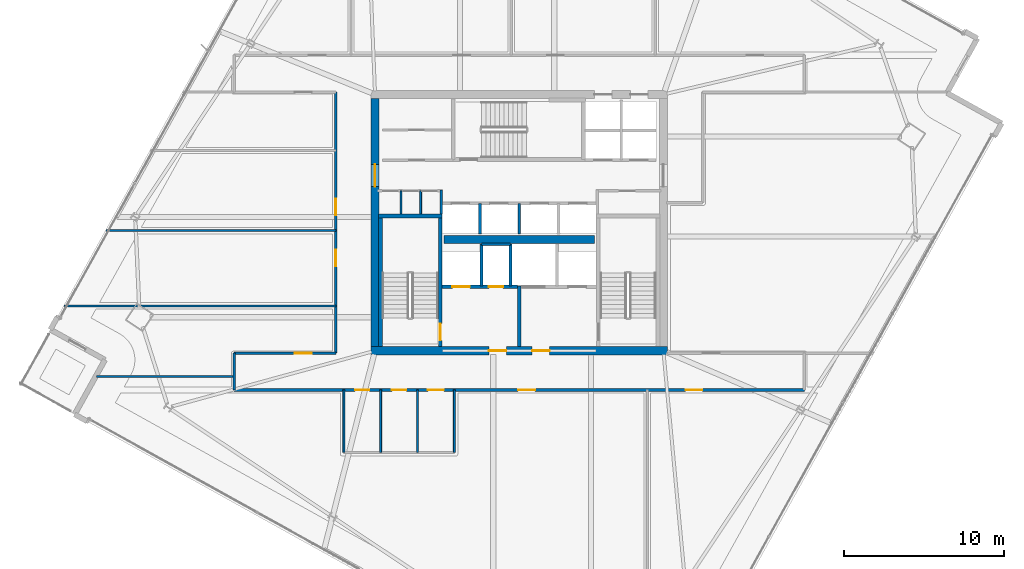
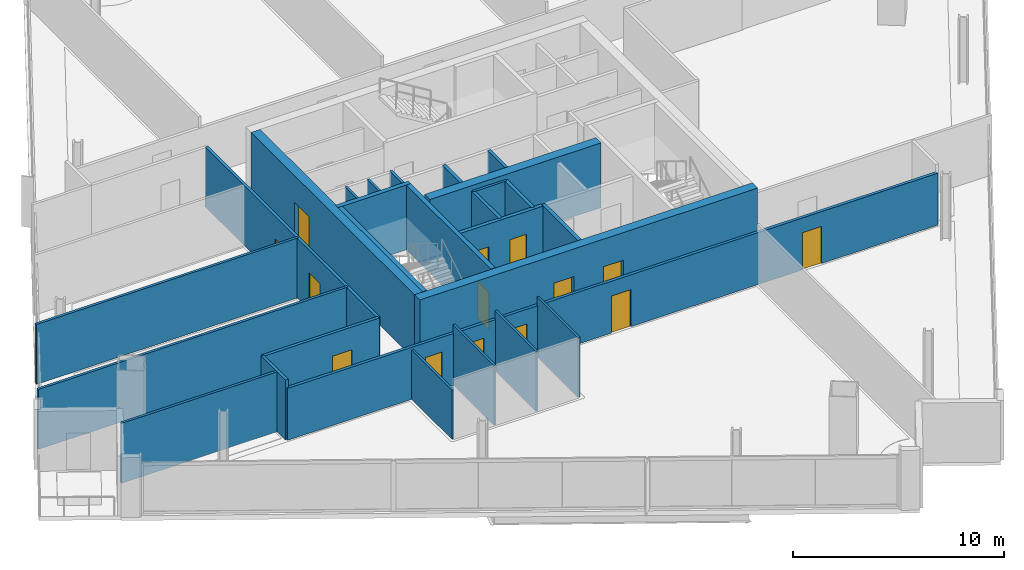
# One storey, part 20 of 28: 27 walls, 14 doors, 14 openings.
"""IFC4 building model written with IfcOpenShell, lengths in metres."""

from ifc_helpers import new_model, si_unit, direction, frame, frame_2d, origin, place, context, subcontext, project, spatial, rectangle, extrude, material, layer, layer_set, type_object, element, fill, save


model = new_model("IFC4")

# Units and contexts
model_context = context("Model", 3, precision=1e-05, world=origin(), true_north=direction((0.0, 1.0)))
body_context = subcontext(model_context, "Body", "Model", "MODEL_VIEW")
ifc_project = project(units=[si_unit("LENGTHUNIT", "METRE"), si_unit("AREAUNIT", "SQUARE_METRE"), si_unit("VOLUMEUNIT", "CUBIC_METRE"), si_unit("PLANEANGLEUNIT", "RADIAN"), si_unit("MASSUNIT", "GRAM", prefix="KILO")], contexts=[model_context])

# Site, building, storey
site_placement = place(None, origin())
site = spatial("IfcSite", under=ifc_project, at=site_placement, CompositionType="ELEMENT")
building_placement = place(site_placement, origin())
building = spatial("IfcBuilding", under=site, at=building_placement, Name="Haldenkirk Collegiate Tower", CompositionType="ELEMENT")
storey_placement = place(building_placement, frame((0.0, 0.0, 232.199951171875)))
storey = spatial("IfcBuildingStorey", under=building, at=storey_placement, Name="L58", CompositionType="ELEMENT", Elevation=232.199951171875)

# Wall, openings, doors
ifc_material_1 = material(Name="Concrete f'c 55 MPa", Category="concrete")
ifc_layer_1 = layer(ifc_material_1, 0.5)
ifc_layer_set_1 = layer_set([ifc_layer_1], Name="Concrete f'c 55 MPa")
wall_type_1 = type_object("IfcWallType", Name="WL-CORE-500", PredefinedType="SHEAR", material=ifc_layer_set_1)
wall_1_placement = place(storey_placement, frame((26.75, 18.0, 0.0), z_axis=(0.0, 0.0, 1.0), x_axis=(1.0, 0.0, 0.0)))
wall_1 = element("IfcWall", 1, at=wall_1_placement, inside=storey, type_object=wall_type_1, Name="L58 central core shear wall S", PredefinedType="SHEAR", context=body_context, shape_type="SweptSolid", body=[
    extrude(rectangle(XDim=18.5, YDim=0.5, at=frame_2d((9.25, 0.0))), origin(), (0.0, 0.0, 1.0), 3.75),
])
opening_1_placement = place(wall_1_placement, frame((7.35009765625, 0.0, 0.0)))
opening_1 = element("IfcOpeningElement", 2, at=opening_1_placement, cuts=wall_1, Name="Opening D-02", PredefinedType="OPENING", context=body_context, shape_type="SweptSolid", body=[
    extrude(rectangle(XDim=1.10009765625, YDim=2.14990234375, at=frame_2d((0.550048828125, 1.074951171875))), frame((0.0, 0.260009765625, 0.0), z_axis=(0.0, -1.0, 0.0), x_axis=(1.0, 0.0, 0.0)), (0.0, 0.0, 1.0), 0.52001953125),
])
opening_2_placement = place(wall_1_placement, frame((10.050048828125, 0.0, 0.0)))
opening_2 = element("IfcOpeningElement", 3, at=opening_2_placement, cuts=wall_1, Name="Opening D-02", PredefinedType="OPENING", context=body_context, shape_type="SweptSolid", body=[
    extrude(rectangle(XDim=1.10009765625, YDim=2.14990234375, at=frame_2d((0.550048828125, 1.074951171875))), frame((0.0, 0.260009765625, 0.0), z_axis=(0.0, -1.0, 0.0), x_axis=(1.0, 0.0, 0.0)), (0.0, 0.0, 1.0), 0.52001953125),
])
ifc_material_2 = material(Name="Galvanized fire-rated hollow steel door", Category="steel")
ifc_layer_2 = layer(ifc_material_2, 0.06005859375)
ifc_layer_set_2 = layer_set([ifc_layer_2], Name="Galvanized fire-rated hollow steel door")
door_type_1 = type_object("IfcDoorType", Name="DR-STAIR-FD90-1100", OperationType="NOTDEFINED", PredefinedType="DOOR", material=ifc_layer_set_2)
door_1_placement = place(opening_1_placement, origin())
door_1 = element("IfcDoor", 4, at=door_1_placement, inside=storey, type_object=door_type_1, Name="L58 Firefighting Lobby 1 door", OperationType="SINGLE_SWING_LEFT", OverallHeight=2.14990234375, OverallWidth=1.10009765625, PredefinedType="DOOR", context=body_context, shape_type="SweptSolid", body=[
    extrude(rectangle(XDim=1.10009765625, YDim=2.14990234375, at=frame_2d((0.550048828125, 1.074951171875))), frame((0.0, 0.02490234375, 0.0), z_axis=(0.0, -1.0, 0.0), x_axis=(1.0, 0.0, 0.0)), (0.0, 0.0, 1.0), 0.050048828125),
])
fill(opening_1, door_1)
door_2_placement = place(opening_2_placement, origin())
door_2 = element("IfcDoor", 5, at=door_2_placement, inside=storey, type_object=door_type_1, Name="L58 Firefighting Lobby 2 door", OperationType="SINGLE_SWING_RIGHT", OverallHeight=2.14990234375, OverallWidth=1.10009765625, PredefinedType="DOOR", context=body_context, shape_type="SweptSolid", body=[
    extrude(rectangle(XDim=1.10009765625, YDim=2.14990234375, at=frame_2d((0.550048828125, 1.074951171875))), frame((0.0, 0.02490234375, 0.0), z_axis=(0.0, -1.0, 0.0), x_axis=(1.0, 0.0, 0.0)), (0.0, 0.0, 1.0), 0.050048828125),
])
fill(opening_2, door_2)

# Wall, opening, door
wall_2_placement = place(storey_placement, frame((27.0, 18.25, 0.0), z_axis=(0.0, 0.0, 1.0), x_axis=(0.0, 1.0, 0.0)))
wall_2 = element("IfcWall", 6, at=wall_2_placement, inside=storey, type_object=wall_type_1, Name="L58 central core shear wall W", PredefinedType="SHEAR", context=body_context, shape_type="SweptSolid", body=[
    extrude(rectangle(XDim=15.5, YDim=0.5, at=frame_2d((7.75, 0.0))), origin(), (0.0, 0.0, 1.0), 3.75),
])
opening_3_placement = place(wall_2_placement, frame((9.989990234375, 0.0, 0.0)))
opening_3 = element("IfcOpeningElement", 7, at=opening_3_placement, cuts=wall_2, Name="Opening D-03", PredefinedType="OPENING", context=body_context, shape_type="SweptSolid", body=[
    extrude(rectangle(XDim=1.39990234375, YDim=2.199951171875, at=frame_2d((0.699951171875, 1.10009765625))), frame((0.0, 0.260009765625, 0.0), z_axis=(0.0, -1.0, 0.0), x_axis=(1.0, 0.0, 0.0)), (0.0, 0.0, 1.0), 0.52001953125),
])
ifc_layer_3 = layer(ifc_material_2, 0.06005859375)
ifc_layer_set_3 = layer_set([ifc_layer_3], Name="Galvanized fire-rated hollow steel door")
door_type_2 = type_object("IfcDoorType", Name="DR-LOBBY-FD90-1400", OperationType="NOTDEFINED", PredefinedType="DOOR", material=ifc_layer_set_3)
door_3_placement = place(opening_3_placement, origin())
door_3 = element("IfcDoor", 8, at=door_3_placement, inside=storey, type_object=door_type_2, Name="L58 west lift lobby portal", OperationType="DOUBLE_DOOR_SINGLE_SWING", OverallHeight=2.199951171875, OverallWidth=1.39990234375, PredefinedType="DOOR", context=body_context, shape_type="SweptSolid", body=[
    extrude(rectangle(XDim=1.39990234375, YDim=2.199951171875, at=frame_2d((0.699951171875, 1.10009765625))), frame((0.0, 0.02490234375, 0.0), z_axis=(0.0, -1.0, 0.0), x_axis=(1.0, 0.0, 0.0)), (0.0, 0.0, 1.0), 0.050048828125),
])
fill(opening_3, door_3)

# Walls
wall_3_placement = place(storey_placement, frame((31.31005859375, 24.949951171875, 0.0), z_axis=(0.0, 0.0, 1.0), x_axis=(1.0, 0.0, 0.0)))
element("IfcWall", 9, at=wall_3_placement, inside=storey, type_object=wall_type_1, Name="L58 central core spine shear wall", PredefinedType="SHEAR", context=body_context, shape_type="SweptSolid", body=[
    extrude(rectangle(XDim=9.3798828125, YDim=0.5, at=frame_2d((4.68994140625, 0.0))), origin(), (0.0, 0.0, 1.0), 3.75),
])
ifc_material_3 = material(Name="Acoustic fire-rated gypsum partition", Category="concrete")
ifc_layer_4 = layer(ifc_material_3, 0.159912109375)
ifc_layer_set_4 = layer_set([ifc_layer_4], Name="Acoustic fire-rated gypsum partition")
wall_type_2 = type_object("IfcWallType", Name="WL-INT-CORR-160", PredefinedType="PARTITIONING", material=ifc_layer_set_4)
wall_4_placement = place(storey_placement, frame((31.1201171875, 26.5400390625, 0.0), z_axis=(0.0, 0.0, 1.0), x_axis=(0.0, 1.0, 0.0)))
element("IfcWall", 10, at=wall_4_placement, inside=storey, type_object=wall_type_2, Name="L58 interior partition IW-L58-VCSW-E", PredefinedType="PARTITIONING", context=body_context, shape_type="SweptSolid", body=[
    extrude(rectangle(XDim=1.510009765625, YDim=0.159912109375, at=frame_2d((0.7548828125, 0.0))), origin(), (0.0, 0.0, 1.0), 3.469970703125),
])

# Wall, openings, doors
wall_5_placement = place(storey_placement, frame((18.199951171875, 15.550048828125, 0.0), z_axis=(0.0, 0.0, 1.0), x_axis=(1.0, 0.0, 0.0)))
wall_5 = element("IfcWall", 11, at=wall_5_placement, inside=storey, type_object=wall_type_2, Name="L58 interior partition IW-L58-CS", PredefinedType="PARTITIONING", context=body_context, shape_type="SweptSolid", body=[
    extrude(rectangle(XDim=35.60009765625, YDim=0.159912109375, at=frame_2d((17.800048828125, 0.0))), origin(), (0.0, 0.0, 1.0), 3.008056640625),
])
opening_4_placement = place(wall_5_placement, frame((7.550048828125, 0.0, 0.0)))
opening_4 = element("IfcOpeningElement", 12, at=opening_4_placement, cuts=wall_5, Name="Opening D-13", PredefinedType="OPENING", context=body_context, shape_type="SweptSolid", body=[
    extrude(rectangle(XDim=0.89990234375, YDim=2.14990234375, at=frame_2d((0.449951171875, 1.074951171875))), frame((0.0, 0.08984375, 0.0), z_axis=(0.0, -1.0, 0.0), x_axis=(1.0, 0.0, 0.0)), (0.0, 0.0, 1.0), 0.179931640625),
])
opening_5_placement = place(wall_5_placement, frame((9.85009765625, 0.0, 0.0)))
opening_5 = element("IfcOpeningElement", 13, at=opening_5_placement, cuts=wall_5, Name="Opening D-13", PredefinedType="OPENING", context=body_context, shape_type="SweptSolid", body=[
    extrude(rectangle(XDim=0.89990234375, YDim=2.14990234375, at=frame_2d((0.449951171875, 1.074951171875))), frame((0.0, 0.08984375, 0.0), z_axis=(0.0, -1.0, 0.0), x_axis=(1.0, 0.0, 0.0)), (0.0, 0.0, 1.0), 0.179931640625),
])
opening_6_placement = place(wall_5_placement, frame((12.10009765625, 0.0, 0.0)))
opening_6 = element("IfcOpeningElement", 14, at=opening_6_placement, cuts=wall_5, Name="Opening D-14", PredefinedType="OPENING", context=body_context, shape_type="SweptSolid", body=[
    extrude(rectangle(XDim=1.0, YDim=2.14990234375, at=frame_2d((0.5, 1.074951171875))), frame((0.0, 0.08984375, 0.0), z_axis=(0.0, -1.0, 0.0), x_axis=(1.0, 0.0, 0.0)), (0.0, 0.0, 1.0), 0.179931640625),
])
opening_7_placement = place(wall_5_placement, frame((17.737060546875, 0.0, 0.0)))
opening_7 = element("IfcOpeningElement", 15, at=opening_7_placement, cuts=wall_5, Name="Opening D-09", PredefinedType="OPENING", context=body_context, shape_type="SweptSolid", body=[
    extrude(rectangle(XDim=1.050048828125, YDim=2.14990234375, at=frame_2d((0.52490234375, 1.074951171875))), frame((0.0, 0.08984375, 0.0), z_axis=(0.0, -1.0, 0.0), x_axis=(1.0, 0.0, 0.0)), (0.0, 0.0, 1.0), 0.179931640625),
])
opening_8_placement = place(wall_5_placement, frame((28.18505859375, 0.0, 0.0)))
opening_8 = element("IfcOpeningElement", 16, at=opening_8_placement, cuts=wall_5, Name="Opening D-09", PredefinedType="OPENING", context=body_context, shape_type="SweptSolid", body=[
    extrude(rectangle(XDim=1.050048828125, YDim=2.14990234375, at=frame_2d((0.52490234375, 1.074951171875))), frame((0.0, 0.08984375, 0.0), z_axis=(0.0, -1.0, 0.0), x_axis=(1.0, 0.0, 0.0)), (0.0, 0.0, 1.0), 0.179931640625),
])
ifc_material_4 = material(Name="Solid-core architectural oak fire door", Category="wood")
ifc_layer_5 = layer(ifc_material_4, 0.06005859375)
ifc_layer_set_5 = layer_set([ifc_layer_5], Name="Solid-core architectural oak fire door")
door_type_3 = type_object("IfcDoorType", Name="DR-INT-ACC-1000", OperationType="NOTDEFINED", PredefinedType="DOOR", material=ifc_layer_set_5)
door_4_placement = place(opening_6_placement, origin())
door_4 = element("IfcDoor", 17, at=door_4_placement, inside=storey, type_object=door_type_3, Name="L58 Accessible WC door", OperationType="SINGLE_SWING_RIGHT", OverallHeight=2.14990234375, OverallWidth=1.0, PredefinedType="DOOR", context=body_context, shape_type="SweptSolid", body=[
    extrude(rectangle(XDim=1.0, YDim=2.14990234375, at=frame_2d((0.5, 1.074951171875))), frame((0.0, 0.02490234375, 0.0), z_axis=(0.0, -1.0, 0.0), x_axis=(1.0, 0.0, 0.0)), (0.0, 0.0, 1.0), 0.050048828125),
])
fill(opening_6, door_4)
ifc_layer_6 = layer(ifc_material_4, 0.06005859375)
ifc_layer_set_6 = layer_set([ifc_layer_6], Name="Solid-core architectural oak fire door")
door_type_4 = type_object("IfcDoorType", Name="DR-INT-FD60-1050", OperationType="NOTDEFINED", PredefinedType="DOOR", material=ifc_layer_set_6)
door_5_placement = place(opening_7_placement, origin())
door_5 = element("IfcDoor", 18, at=door_5_placement, inside=storey, type_object=door_type_4, Name="L58 Academic Press Bookshop 1 door", OperationType="SINGLE_SWING_LEFT", OverallHeight=2.14990234375, OverallWidth=1.050048828125, PredefinedType="DOOR", context=body_context, shape_type="SweptSolid", body=[
    extrude(rectangle(XDim=1.050048828125, YDim=2.14990234375, at=frame_2d((0.52490234375, 1.074951171875))), frame((0.0, 0.02490234375, 0.0), z_axis=(0.0, -1.0, 0.0), x_axis=(1.0, 0.0, 0.0)), (0.0, 0.0, 1.0), 0.050048828125),
])
fill(opening_7, door_5)
door_6_placement = place(opening_8_placement, origin())
door_6 = element("IfcDoor", 19, at=door_6_placement, inside=storey, type_object=door_type_4, Name="L58 Campus Print Shop 2 door", OperationType="SINGLE_SWING_RIGHT", OverallHeight=2.14990234375, OverallWidth=1.050048828125, PredefinedType="DOOR", context=body_context, shape_type="SweptSolid", body=[
    extrude(rectangle(XDim=1.050048828125, YDim=2.14990234375, at=frame_2d((0.52490234375, 1.074951171875))), frame((0.0, 0.02490234375, 0.0), z_axis=(0.0, -1.0, 0.0), x_axis=(1.0, 0.0, 0.0)), (0.0, 0.0, 1.0), 0.050048828125),
])
fill(opening_8, door_6)
ifc_layer_7 = layer(ifc_material_4, 0.06005859375)
ifc_layer_set_7 = layer_set([ifc_layer_7], Name="Solid-core architectural oak fire door")
door_type_5 = type_object("IfcDoorType", Name="DR-INT-STD-900", OperationType="NOTDEFINED", PredefinedType="DOOR", material=ifc_layer_set_7)
door_7_placement = place(opening_4_placement, origin())
door_7 = element("IfcDoor", 20, at=door_7_placement, inside=storey, type_object=door_type_5, Name="L58 Male WC door", OperationType="SINGLE_SWING_RIGHT", OverallHeight=2.14990234375, OverallWidth=0.89990234375, PredefinedType="DOOR", context=body_context, shape_type="SweptSolid", body=[
    extrude(rectangle(XDim=0.89990234375, YDim=2.14990234375, at=frame_2d((0.449951171875, 1.074951171875))), frame((0.0, 0.02490234375, 0.0), z_axis=(0.0, -1.0, 0.0), x_axis=(1.0, 0.0, 0.0)), (0.0, 0.0, 1.0), 0.050048828125),
])
fill(opening_4, door_7)
door_8_placement = place(opening_5_placement, origin())
door_8 = element("IfcDoor", 21, at=door_8_placement, inside=storey, type_object=door_type_5, Name="L58 Female WC door", OperationType="SINGLE_SWING_LEFT", OverallHeight=2.14990234375, OverallWidth=0.89990234375, PredefinedType="DOOR", context=body_context, shape_type="SweptSolid", body=[
    extrude(rectangle(XDim=0.89990234375, YDim=2.14990234375, at=frame_2d((0.449951171875, 1.074951171875))), frame((0.0, 0.02490234375, 0.0), z_axis=(0.0, -1.0, 0.0), x_axis=(1.0, 0.0, 0.0)), (0.0, 0.0, 1.0), 0.050048828125),
])
fill(opening_5, door_8)

# Wall, opening, door
wall_6_placement = place(storey_placement, frame((18.199951171875, 17.85009765625, 0.0), z_axis=(0.0, 0.0, 1.0), x_axis=(1.0, 0.0, 0.0)))
wall_6 = element("IfcWall", 22, at=wall_6_placement, inside=storey, type_object=wall_type_2, Name="L58 interior partition IW-L58-CSW", PredefinedType="PARTITIONING", context=body_context, shape_type="SweptSolid", body=[
    extrude(rectangle(XDim=6.35009765625, YDim=0.159912109375, at=frame_2d((3.175048828125, 0.0))), origin(), (0.0, 0.0, 1.0), 3.469970703125),
])
opening_9_placement = place(wall_6_placement, frame((3.79296875, 0.0, 0.0)))
opening_9 = element("IfcOpeningElement", 23, at=opening_9_placement, cuts=wall_6, Name="Opening D-09", PredefinedType="OPENING", context=body_context, shape_type="SweptSolid", body=[
    extrude(rectangle(XDim=1.050048828125, YDim=2.14990234375, at=frame_2d((0.52490234375, 1.074951171875))), frame((0.0, 0.08984375, 0.0), z_axis=(0.0, -1.0, 0.0), x_axis=(1.0, 0.0, 0.0)), (0.0, 0.0, 1.0), 0.179931640625),
])
door_9_placement = place(opening_9_placement, origin())
door_9 = element("IfcDoor", 24, at=door_9_placement, inside=storey, type_object=door_type_4, Name="L58 Academic Press Bookshop 7 door", OperationType="SINGLE_SWING_LEFT", OverallHeight=2.14990234375, OverallWidth=1.050048828125, PredefinedType="DOOR", context=body_context, shape_type="SweptSolid", body=[
    extrude(rectangle(XDim=1.050048828125, YDim=2.14990234375, at=frame_2d((0.52490234375, 1.074951171875))), frame((0.0, 0.02490234375, 0.0), z_axis=(0.0, -1.0, 0.0), x_axis=(1.0, 0.0, 0.0)), (0.0, 0.0, 1.0), 0.050048828125),
])
fill(opening_9, door_9)

# Wall, openings, doors
wall_7_placement = place(storey_placement, frame((24.550048828125, 17.85009765625, 0.0), z_axis=(0.0, 0.0, 1.0), x_axis=(0.0, 1.0, 0.0)))
wall_7 = element("IfcWall", 25, at=wall_7_placement, inside=storey, type_object=wall_type_2, Name="L58 interior partition IW-L58-CW", PredefinedType="PARTITIONING", context=body_context, shape_type="SweptSolid", body=[
    extrude(rectangle(XDim=16.2998046875, YDim=0.159912109375, at=frame_2d((8.14990234375, 0.0))), origin(), (0.0, 0.0, 1.0), 3.469970703125),
])
opening_10_placement = place(wall_7_placement, frame((5.4189453125, 0.0, 0.0)))
opening_10 = element("IfcOpeningElement", 26, at=opening_10_placement, cuts=wall_7, Name="Opening D-09", PredefinedType="OPENING", context=body_context, shape_type="SweptSolid", body=[
    extrude(rectangle(XDim=1.050048828125, YDim=2.14990234375, at=frame_2d((0.52490234375, 1.074951171875))), frame((0.0, 0.08984375, 0.0), z_axis=(0.0, -1.0, 0.0), x_axis=(1.0, 0.0, 0.0)), (0.0, 0.0, 1.0), 0.179931640625),
])
opening_11_placement = place(wall_7_placement, frame((8.60498046875, 0.0, 0.0)))
opening_11 = element("IfcOpeningElement", 27, at=opening_11_placement, cuts=wall_7, Name="Opening D-09", PredefinedType="OPENING", context=body_context, shape_type="SweptSolid", body=[
    extrude(rectangle(XDim=1.050048828125, YDim=2.14990234375, at=frame_2d((0.52490234375, 1.074951171875))), frame((0.0, 0.08984375, 0.0), z_axis=(0.0, -1.0, 0.0), x_axis=(1.0, 0.0, 0.0)), (0.0, 0.0, 1.0), 0.179931640625),
])
door_10_placement = place(opening_10_placement, origin())
door_10 = element("IfcDoor", 28, at=door_10_placement, inside=storey, type_object=door_type_4, Name="L58 Campus Print Shop 8 door", OperationType="SINGLE_SWING_RIGHT", OverallHeight=2.14990234375, OverallWidth=1.050048828125, PredefinedType="DOOR", context=body_context, shape_type="SweptSolid", body=[
    extrude(rectangle(XDim=1.050048828125, YDim=2.14990234375, at=frame_2d((0.52490234375, 1.074951171875))), frame((0.0, 0.02490234375, 0.0), z_axis=(0.0, -1.0, 0.0), x_axis=(1.0, 0.0, 0.0)), (0.0, 0.0, 1.0), 0.050048828125),
])
fill(opening_10, door_10)
door_11_placement = place(opening_11_placement, origin())
door_11 = element("IfcDoor", 29, at=door_11_placement, inside=storey, type_object=door_type_4, Name="L58 Hospitality Tea Kitchen 9 door", OperationType="SINGLE_SWING_LEFT", OverallHeight=2.14990234375, OverallWidth=1.050048828125, PredefinedType="DOOR", context=body_context, shape_type="SweptSolid", body=[
    extrude(rectangle(XDim=1.050048828125, YDim=2.14990234375, at=frame_2d((0.52490234375, 1.074951171875))), frame((0.0, 0.02490234375, 0.0), z_axis=(0.0, -1.0, 0.0), x_axis=(1.0, 0.0, 0.0)), (0.0, 0.0, 1.0), 0.050048828125),
])
fill(opening_11, door_11)

# Walls
wall_8_placement = place(storey_placement, frame((18.199951171875, 15.550048828125, 0.0), z_axis=(0.0, 0.0, 1.0), x_axis=(0.0, 1.0, 0.0)))
element("IfcWall", 30, at=wall_8_placement, inside=storey, type_object=wall_type_2, Name="L58 interior partition IW-L58-CSL", PredefinedType="PARTITIONING", context=body_context, shape_type="SweptSolid", body=[
    extrude(rectangle(XDim=2.300048828125, YDim=0.159912109375, at=frame_2d((1.14990234375, 0.0))), origin(), (0.0, 0.0, 1.0), 3.469970703125),
])
ifc_layer_8 = layer(ifc_material_3, 0.139892578125)
ifc_layer_set_8 = layer_set([ifc_layer_8], Name="Acoustic fire-rated gypsum partition")
wall_type_3 = type_object("IfcWallType", Name="WL-INT-DIV-140", PredefinedType="PARTITIONING", material=ifc_layer_set_8)
wall_9_placement = place(storey_placement, frame((9.6083984375, 16.39990234375, 0.0), z_axis=(0.0, 0.0, 1.0), x_axis=(1.0, 0.0, 0.0)))
element("IfcWall", 31, at=wall_9_placement, inside=storey, type_object=wall_type_3, Name="L58 interior partition IW-L58-BWS", PredefinedType="PARTITIONING", context=body_context, shape_type="SweptSolid", body=[
    extrude(rectangle(XDim=8.591552734375, YDim=0.139892578125, at=frame_2d((4.2958984375, 0.0))), origin(), (0.0, 0.0, 1.0), 3.469970703125),
])
wall_10_placement = place(storey_placement, frame((7.591064453125, 20.800048828125, 0.0), z_axis=(0.0, 0.0, 1.0), x_axis=(1.0, 0.0, 0.0)))
element("IfcWall", 32, at=wall_10_placement, inside=storey, type_object=wall_type_3, Name="L58 interior partition IW-L58-RW1", PredefinedType="PARTITIONING", context=body_context, shape_type="SweptSolid", body=[
    extrude(rectangle(XDim=16.958984375, YDim=0.139892578125, at=frame_2d((8.4794921875, 0.0))), origin(), (0.0, 0.0, 1.0), 3.469970703125),
])
wall_11_placement = place(storey_placement, frame((10.20166015625, 25.5, 0.0), z_axis=(0.0, 0.0, 1.0), x_axis=(1.0, 0.0, 0.0)))
element("IfcWall", 33, at=wall_11_placement, inside=storey, type_object=wall_type_3, Name="L58 interior partition IW-L58-RW2", PredefinedType="PARTITIONING", context=body_context, shape_type="SweptSolid", body=[
    extrude(rectangle(XDim=14.348388671875, YDim=0.139892578125, at=frame_2d((7.17431640625, 0.0))), origin(), (0.0, 0.0, 1.0), 3.469970703125),
])
ifc_material_5 = material(Name="Fire-rated gypsum shaftboard assembly", Category="concrete")
ifc_layer_9 = layer(ifc_material_5, 0.179931640625)
ifc_layer_set_9 = layer_set([ifc_layer_9], Name="Fire-rated gypsum shaftboard assembly")
wall_type_4 = type_object("IfcWallType", Name="WL-INT-SHAFT-180", PredefinedType="PARTITIONING", material=ifc_layer_set_9)
for number, where, z_axis, x_axis, name in (
    (34, (33.64990234375, 22.050048828125, 0.0), (0.0, 0.0, 1.0), (0.0, 1.0, 0.0), "L58 interior partition IW-L58-FL1E"),
    (35, (35.449951171875, 22.050048828125, 0.0), (0.0, 0.0, 1.0), (0.0, 1.0, 0.0), "L58 interior partition IW-L58-GL1W"),
):
    element("IfcWall", number, at=place(storey_placement, frame(where, z_axis=z_axis, x_axis=x_axis)), inside=storey, type_object=wall_type_4, Name=name, PredefinedType="PARTITIONING", context=body_context, shape_type="SweptSolid", body=[
        extrude(rectangle(XDim=2.599853515625, YDim=0.179931640625, at=frame_2d((1.2998046875, 0.0))), origin(), (0.0, 0.0, 1.0), 3.469970703125),
    ])
wall_12_placement = place(storey_placement, frame((33.64990234375, 24.64990234375, 0.0), z_axis=(0.0, 0.0, 1.0), x_axis=(1.0, 0.0, 0.0)))
element("IfcWall", 36, at=wall_12_placement, inside=storey, type_object=wall_type_4, Name="L58 interior partition IW-L58-RSRN", PredefinedType="PARTITIONING", context=body_context, shape_type="SweptSolid", body=[
    extrude(rectangle(XDim=1.800048828125, YDim=0.179931640625, at=frame_2d((0.89990234375, 0.0))), origin(), (0.0, 0.0, 1.0), 3.469970703125),
])
for number, where, z_axis, x_axis, name in (
    (37, (33.5400390625, 25.300048828125, 0.0), (0.0, 0.0, 1.0), (0.0, 1.0, 0.0), "L58 interior partition IW-L58-PHV1"),
    (38, (36.0, 25.300048828125, 0.0), (0.0, 0.0, 1.0), (0.0, 1.0, 0.0), "L58 interior partition IW-L58-PHV2"),
):
    element("IfcWall", number, at=place(storey_placement, frame(where, z_axis=z_axis, x_axis=x_axis)), inside=storey, type_object=wall_type_4, Name=name, PredefinedType="PARTITIONING", context=body_context, shape_type="SweptSolid", body=[
        extrude(rectangle(XDim=1.89990234375, YDim=0.179931640625, at=frame_2d((0.949951171875, 0.0))), origin(), (0.0, 0.0, 1.0), 3.469970703125),
    ])
ifc_layer_10 = layer(ifc_material_5, 0.199951171875)
ifc_layer_set_10 = layer_set([ifc_layer_10], Name="Fire-rated gypsum shaftboard assembly")
wall_type_5 = type_object("IfcWallType", Name="WL-INT-SHAFT-200", PredefinedType="PARTITIONING", material=ifc_layer_set_10)
wall_13_placement = place(storey_placement, frame((36.0, 18.280029296875, 0.0), z_axis=(0.0, 0.0, 1.0), x_axis=(0.0, 1.0, 0.0)))
element("IfcWall", 39, at=wall_13_placement, inside=storey, type_object=wall_type_5, Name="L58 interior partition IW-L58-FFLM", PredefinedType="PARTITIONING", context=body_context, shape_type="SweptSolid", body=[
    extrude(rectangle(XDim=3.77001953125, YDim=0.199951171875, at=frame_2d((1.885009765625, 0.0))), origin(), (0.0, 0.0, 1.0), 3.469970703125),
])

# Wall, openings, doors
wall_14_placement = place(storey_placement, frame((31.18994140625, 22.0, 0.0), z_axis=(0.0, 0.0, 1.0), x_axis=(1.0, 0.0, 0.0)))
wall_14 = element("IfcWall", 40, at=wall_14_placement, inside=storey, type_object=wall_type_5, Name="L58 interior partition IW-L58-FFL1N", PredefinedType="PARTITIONING", context=body_context, shape_type="SweptSolid", body=[
    extrude(rectangle(XDim=4.68994140625, YDim=0.199951171875, at=frame_2d((2.344970703125, 0.0))), origin(), (0.0, 0.0, 1.0), 3.469970703125),
])
opening_12_placement = place(wall_14_placement, frame((2.909912109375, 0.0, 0.0)))
opening_12 = element("IfcOpeningElement", 41, at=opening_12_placement, cuts=wall_14, Name="Opening D-06", PredefinedType="OPENING", context=body_context, shape_type="SweptSolid", body=[
    extrude(rectangle(XDim=0.89990234375, YDim=2.14990234375, at=frame_2d((0.449951171875, 1.074951171875))), frame((0.0, 0.10986328125, 0.0), z_axis=(0.0, -1.0, 0.0), x_axis=(1.0, 0.0, 0.0)), (0.0, 0.0, 1.0), 0.219970703125),
])
opening_13_placement = place(wall_14_placement, frame((0.635009765625, 0.0, 0.0)))
opening_13 = element("IfcOpeningElement", 42, at=opening_13_placement, cuts=wall_14, Name="Opening LD-12", PredefinedType="OPENING", context=body_context, shape_type="SweptSolid", body=[
    extrude(rectangle(XDim=1.10009765625, YDim=2.14990234375, at=frame_2d((0.550048828125, 1.074951171875))), frame((0.0, 0.10986328125, 0.0), z_axis=(0.0, -1.0, 0.0), x_axis=(1.0, 0.0, 0.0)), (0.0, 0.0, 1.0), 0.219970703125),
])
ifc_layer_11 = layer(ifc_material_2, 0.06005859375)
ifc_layer_set_11 = layer_set([ifc_layer_11], Name="Galvanized fire-rated hollow steel door")
door_type_6 = type_object("IfcDoorType", Name="DR-INT-FD90-900", OperationType="NOTDEFINED", PredefinedType="DOOR", material=ifc_layer_set_11)
door_12_placement = place(opening_12_placement, origin())
door_12 = element("IfcDoor", 43, at=door_12_placement, inside=storey, type_object=door_type_6, Name="L58 electrical riser door", OperationType="SINGLE_SWING_LEFT", OverallHeight=2.14990234375, OverallWidth=0.89990234375, PredefinedType="DOOR", context=body_context, shape_type="SweptSolid", body=[
    extrude(rectangle(XDim=0.89990234375, YDim=2.14990234375, at=frame_2d((0.449951171875, 1.074951171875))), frame((0.0, 0.02490234375, 0.0), z_axis=(0.0, -1.0, 0.0), x_axis=(1.0, 0.0, 0.0)), (0.0, 0.0, 1.0), 0.050048828125),
])
fill(opening_12, door_12)
ifc_material_6 = material(Name="Brushed architectural stainless steel", Category="steel")
ifc_layer_12 = layer(ifc_material_6, 0.06005859375)
ifc_layer_set_12 = layer_set([ifc_layer_12], Name="Brushed architectural stainless steel")
door_type_7 = type_object("IfcDoorType", Name="LD-FIRE-1100", OperationType="NOTDEFINED", PredefinedType="DOOR", material=ifc_layer_set_12)
door_13_placement = place(opening_13_placement, origin())
door_13 = element("IfcDoor", 44, at=door_13_placement, inside=storey, type_object=door_type_7, Name="L58 Elevator FL1 sliding landing door", OperationType="SLIDING_TO_LEFT", OverallHeight=2.14990234375, OverallWidth=1.10009765625, PredefinedType="DOOR", context=body_context, shape_type="SweptSolid", body=[
    extrude(rectangle(XDim=1.10009765625, YDim=2.14990234375, at=frame_2d((0.550048828125, 1.074951171875))), frame((0.0, 0.02490234375, 0.0), z_axis=(0.0, -1.0, 0.0), x_axis=(1.0, 0.0, 0.0)), (0.0, 0.0, 1.0), 0.050048828125),
])
fill(opening_13, door_13)

# Walls
ifc_layer_13 = layer(ifc_material_3, 0.1201171875)
ifc_layer_set_13 = layer_set([ifc_layer_13], Name="Acoustic fire-rated gypsum partition")
wall_type_6 = type_object("IfcWallType", Name="WL-INT-WET-120", PredefinedType="PARTITIONING", material=ifc_layer_set_13)
for number, where, z_axis, x_axis, name in (
    (45, (28.6201171875, 26.5400390625, 0.0), (0.0, 0.0, 1.0), (0.0, 1.0, 0.0), "L58 interior partition IW-L58-VCSW-M1"),
    (46, (29.840087890625, 26.5400390625, 0.0), (0.0, 0.0, 1.0), (0.0, 1.0, 0.0), "L58 interior partition IW-L58-VCSW-M2"),
):
    element("IfcWall", number, at=place(storey_placement, frame(where, z_axis=z_axis, x_axis=x_axis)), inside=storey, type_object=wall_type_6, Name=name, PredefinedType="PARTITIONING", context=body_context, shape_type="SweptSolid", body=[
        extrude(rectangle(XDim=1.43994140625, YDim=0.1201171875, at=frame_2d((0.719970703125, 0.0))), origin(), (0.0, 0.0, 1.0), 3.469970703125),
    ])
wall_15_placement = place(storey_placement, frame((25.050048828125, 11.64990234375, 0.0), z_axis=(0.0, 0.0, 1.0), x_axis=(0.0, 1.0, 0.0)))
element("IfcWall", 47, at=wall_15_placement, inside=storey, type_object=wall_type_6, Name="L58 interior partition IW-L58-WCW", PredefinedType="PARTITIONING", context=body_context, shape_type="SweptSolid", body=[
    extrude(rectangle(XDim=3.900146484375, YDim=0.1201171875, at=frame_2d((1.9501953125, 0.0))), origin(), (0.0, 0.0, 1.0), 2.84912109375),
])
for number, where, z_axis, x_axis, name in (
    (48, (27.35009765625, 11.64990234375, 0.0), (0.0, 0.0, 1.0), (0.0, 1.0, 0.0), "L58 interior partition IW-L58-WC1"),
    (49, (29.64990234375, 11.64990234375, 0.0), (0.0, 0.0, 1.0), (0.0, 1.0, 0.0), "L58 interior partition IW-L58-WC2"),
    (50, (31.949951171875, 11.64990234375, 0.0), (0.0, 0.0, 1.0), (0.0, 1.0, 0.0), "L58 interior partition IW-L58-WCE"),
):
    element("IfcWall", number, at=place(storey_placement, frame(where, z_axis=z_axis, x_axis=x_axis)), inside=storey, type_object=wall_type_6, Name=name, PredefinedType="PARTITIONING", context=body_context, shape_type="SweptSolid", body=[
        extrude(rectangle(XDim=3.900146484375, YDim=0.1201171875, at=frame_2d((1.9501953125, 0.0))), origin(), (0.0, 0.0, 1.0), 3.469970703125),
    ])

# Wall, opening, door
ifc_layer_14 = layer(ifc_material_1, 0.239990234375)
ifc_layer_set_14 = layer_set([ifc_layer_14], Name="Concrete f'c 55 MPa")
wall_type_7 = type_object("IfcWallType", Name="WL-SHAFT-240", PredefinedType="SHEAR", material=ifc_layer_set_14)
wall_16_placement = place(storey_placement, frame((31.070068359375, 18.280029296875, 0.0), z_axis=(0.0, 0.0, 1.0), x_axis=(0.0, 1.0, 0.0)))
wall_16 = element("IfcWall", 51, at=wall_16_placement, inside=storey, type_object=wall_type_7, Name="L58 stair shaft shear wall SW-L58-ST1E", PredefinedType="SHEAR", context=body_context, shape_type="SweptSolid", body=[
    extrude(rectangle(XDim=8.260009765625, YDim=0.239990234375, at=frame_2d((4.1298828125, 0.0))), origin(), (0.0, 0.0, 1.0), 3.75),
])
opening_14_placement = place(wall_16_placement, frame((0.364990234375, 0.0, 0.0)))
opening_14 = element("IfcOpeningElement", 52, at=opening_14_placement, cuts=wall_16, Name="Opening D-01", PredefinedType="OPENING", context=body_context, shape_type="SweptSolid", body=[
    extrude(rectangle(XDim=1.050048828125, YDim=2.14990234375, at=frame_2d((0.52490234375, 1.074951171875))), frame((0.0, 0.1298828125, 0.0), z_axis=(0.0, -1.0, 0.0), x_axis=(1.0, 0.0, 0.0)), (0.0, 0.0, 1.0), 0.260009765625),
])
ifc_layer_15 = layer(ifc_material_2, 0.06005859375)
ifc_layer_set_15 = layer_set([ifc_layer_15], Name="Galvanized fire-rated hollow steel door")
door_type_8 = type_object("IfcDoorType", Name="DR-STAIR-FD90-1050", OperationType="NOTDEFINED", PredefinedType="DOOR", material=ifc_layer_set_15)
door_14_placement = place(opening_14_placement, origin())
door_14 = element("IfcDoor", 53, at=door_14_placement, inside=storey, type_object=door_type_8, Name="L58 Stair 1 door", OperationType="SINGLE_SWING_LEFT", OverallHeight=2.14990234375, OverallWidth=1.050048828125, PredefinedType="DOOR", context=body_context, shape_type="SweptSolid", body=[
    extrude(rectangle(XDim=1.050048828125, YDim=2.14990234375, at=frame_2d((0.52490234375, 1.074951171875))), frame((0.0, 0.02490234375, 0.0), z_axis=(0.0, -1.0, 0.0), x_axis=(1.0, 0.0, 0.0)), (0.0, 0.0, 1.0), 0.050048828125),
])
fill(opening_14, door_14)

# Walls
wall_17_placement = place(storey_placement, frame((27.2099609375, 26.419921875, 0.0), z_axis=(0.0, 0.0, 1.0), x_axis=(1.0, 0.0, 0.0)))
element("IfcWall", 54, at=wall_17_placement, inside=storey, type_object=wall_type_7, Name="L58 stair shaft shear wall SW-L58-ST1N", PredefinedType="SHEAR", context=body_context, shape_type="SweptSolid", body=[
    extrude(rectangle(XDim=3.97998046875, YDim=0.239990234375, at=frame_2d((1.989990234375, 0.0))), origin(), (0.0, 0.0, 1.0), 3.75),
])
wall_18_placement = place(storey_placement, frame((27.330078125, 18.280029296875, 0.0), z_axis=(0.0, 0.0, 1.0), x_axis=(0.0, 1.0, 0.0)))
element("IfcWall", 55, at=wall_18_placement, inside=storey, type_object=wall_type_7, Name="L58 stair shaft shear wall SW-L58-ST1W", PredefinedType="SHEAR", context=body_context, shape_type="SweptSolid", body=[
    extrude(rectangle(XDim=8.260009765625, YDim=0.239990234375, at=frame_2d((4.1298828125, 0.0))), origin(), (0.0, 0.0, 1.0), 3.75),
])

save(model, "model.ifc")
